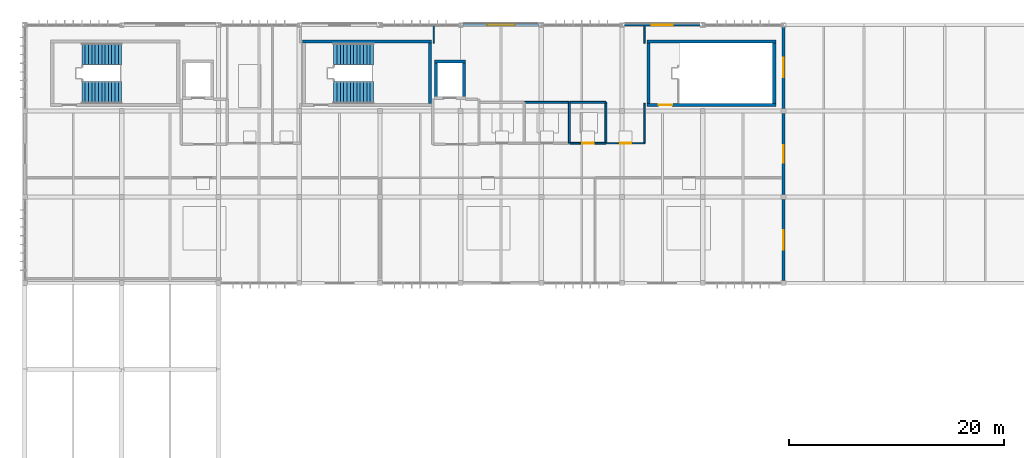
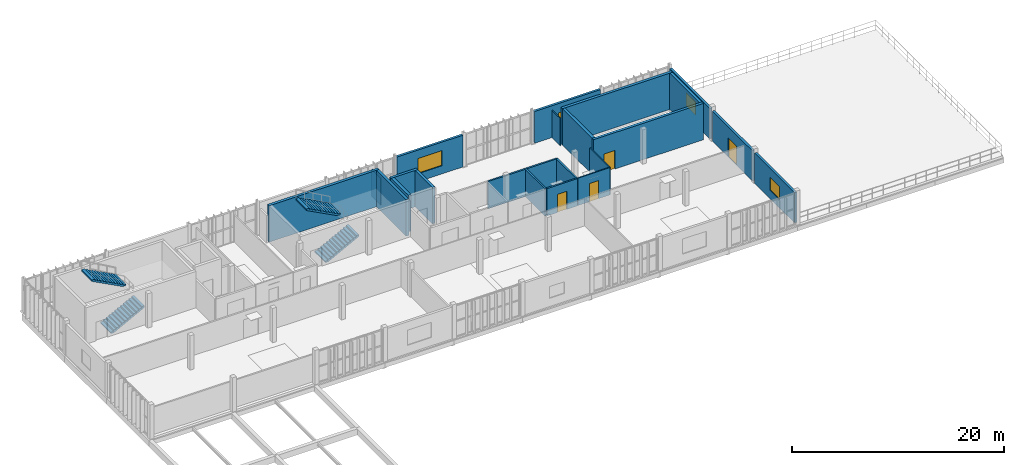
# One storey, part 20 of 26: 23 walls, 4 doors, 4 stair flights, 4 windows, 8 openings, 2 elements without a shape of their own.
"""IFC4 building model written with IfcOpenShell, lengths in metres."""

from ifc_helpers import new_model, si_unit, direction, frame, frame_2d, origin, place, context, subcontext, project, spatial, polyline, rectangle, outline, extrude, material, layer, layer_set, type_object, element, fill, aggregate, save


model = new_model("IFC4")

# Units and contexts
model_context = context("Model", 3, precision=1e-05, world=origin(), true_north=direction((0.0, 1.0)))
body_context = subcontext(model_context, "Body", "Model", "MODEL_VIEW")
ifc_project = project(units=[si_unit("LENGTHUNIT", "METRE"), si_unit("AREAUNIT", "SQUARE_METRE"), si_unit("VOLUMEUNIT", "CUBIC_METRE"), si_unit("PLANEANGLEUNIT", "RADIAN"), si_unit("MASSUNIT", "GRAM", prefix="KILO")], contexts=[model_context])

# Site, building, storey
site_placement = place(None, origin())
site = spatial("IfcSite", under=ifc_project, at=site_placement, CompositionType="ELEMENT")
building_placement = place(site_placement, origin())
building = spatial("IfcBuilding", under=site, at=building_placement, Name="Vourika Railside Aquatics Centre", CompositionType="ELEMENT")
storey_placement = place(building_placement, frame((0.0, 0.0, 17.699951171875)))
storey = spatial("IfcBuildingStorey", under=building, at=storey_placement, Name="L04", CompositionType="ELEMENT", Elevation=17.699951171875)

# Walls
ifc_material_1 = material(Name="Concrete C40/50", Category="concrete")
ifc_layer_1 = layer(ifc_material_1, 0.300048828125, Name="WL-CORE")
ifc_layer_set_1 = layer_set([ifc_layer_1], Name="Concrete C40/50")
wall_type_1 = type_object("IfcWallType", Name="WL-CORE", PredefinedType="SHEAR", material=ifc_layer_set_1)
wall_1_placement = place(storey_placement, frame((55.800048828125, 114.449951171875, 0.0), z_axis=(0.0, 0.0, 1.0), x_axis=(-1.0, 0.0, 0.0)))
element("IfcWall", 1, at=wall_1_placement, inside=storey, type_object=wall_type_1, Name="Protected Exit Stair Core ST02 North Wall (L04)", PredefinedType="SHEAR", context=body_context, shape_type="SweptSolid", body=[
    extrude(rectangle(XDim=12.0, YDim=0.300048828125, at=frame_2d((6.0, 0.0))), origin(), (0.0, 0.0, 1.0), 4.199951171875),
])
wall_2_placement = place(storey_placement, frame((55.64990234375, 108.699951171875, 0.0), z_axis=(0.0, 0.0, 1.0), x_axis=(0.0, 1.0, 0.0)))
element("IfcWall", 2, at=wall_2_placement, inside=storey, type_object=wall_type_1, Name="Protected Exit Stair Core ST02 East Wall (L04)", PredefinedType="SHEAR", context=body_context, shape_type="SweptSolid", body=[
    extrude(rectangle(XDim=5.60009765625, YDim=0.300048828125, at=frame_2d((2.800048828125, 0.0))), origin(), (0.0, 0.0, 1.0), 4.199951171875),
])

# Wall, opening, door
wall_3_placement = place(storey_placement, frame((75.800048828125, 108.550048828125, 0.0), z_axis=(0.0, 0.0, 1.0), x_axis=(1.0, 0.0, 0.0)))
wall_3 = element("IfcWall", 3, at=wall_3_placement, inside=storey, type_object=wall_type_1, Name="Protected Exit Stair Core ST03 South Wall (L04)", PredefinedType="SHEAR", context=body_context, shape_type="SweptSolid", body=[
    extrude(rectangle(XDim=12.0, YDim=0.300048828125, at=frame_2d((6.0, 0.0))), origin(), (0.0, 0.0, 1.0), 4.199951171875),
])
opening_1_placement = place(wall_3_placement, frame((1.10009765625, 0.0, 0.0)))
opening_1 = element("IfcOpeningElement", 4, at=opening_1_placement, cuts=wall_3, Name="Opening DF02", PredefinedType="OPENING", context=body_context, shape_type="SweptSolid", body=[
    extrude(rectangle(XDim=1.25, YDim=2.14990234375, at=frame_2d((0.625, 1.074951171875))), frame((0.0, 0.16015625, 0.0), z_axis=(0.0, -1.0, 0.0), x_axis=(1.0, 0.0, 0.0)), (0.0, 0.0, 1.0), 0.320068359375),
])
ifc_material_2 = material(Name="Fire-rated wide exit stair door")
door_type_1 = type_object("IfcDoorType", Name="DR-FD60-125", OperationType="NOTDEFINED", PredefinedType="DOOR", material=ifc_material_2)
door_1_placement = place(opening_1_placement, origin())
door_1 = element("IfcDoor", 5, at=door_1_placement, inside=storey, type_object=door_type_1, Name="Protected Exit Stair Core ST03 Enclosure Fire Door (L04)", OperationType="SINGLE_SWING_RIGHT", OverallHeight=2.14990234375, OverallWidth=1.25, PredefinedType="DOOR", context=body_context, shape_type="SweptSolid", body=[
    extrude(rectangle(XDim=1.25, YDim=2.14990234375, at=frame_2d((0.625, 1.074951171875))), frame((0.0, 0.02490234375, 0.0), z_axis=(0.0, -1.0, 0.0), x_axis=(1.0, 0.0, 0.0)), (0.0, 0.0, 1.0), 0.050048828125),
])
fill(opening_1, door_1)

# Walls
wall_4_placement = place(storey_placement, frame((87.800048828125, 114.449951171875, 0.0), z_axis=(0.0, 0.0, 1.0), x_axis=(-1.0, 0.0, 0.0)))
element("IfcWall", 6, at=wall_4_placement, inside=storey, type_object=wall_type_1, Name="Protected Exit Stair Core ST03 North Wall (L04)", PredefinedType="SHEAR", context=body_context, shape_type="SweptSolid", body=[
    extrude(rectangle(XDim=12.0, YDim=0.300048828125, at=frame_2d((6.0, 0.0))), origin(), (0.0, 0.0, 1.0), 4.199951171875),
])
for number, where, z_axis, x_axis, name in (
    (7, (75.949951171875, 114.300048828125, 0.0), (0.0, 0.0, 1.0), (0.0, -1.0, 0.0), "Protected Exit Stair Core ST03 West Wall (L04)"),
    (8, (87.64990234375, 108.699951171875, 0.0), (0.0, 0.0, 1.0), (0.0, 1.0, 0.0), "Protected Exit Stair Core ST03 East Wall (L04)"),
):
    element("IfcWall", number, at=place(storey_placement, frame(where, z_axis=z_axis, x_axis=x_axis)), inside=storey, type_object=wall_type_1, Name=name, PredefinedType="SHEAR", context=body_context, shape_type="SweptSolid", body=[
        extrude(rectangle(XDim=5.60009765625, YDim=0.300048828125, at=frame_2d((2.800048828125, 0.0))), origin(), (0.0, 0.0, 1.0), 4.199951171875),
    ])
wall_5_placement = place(storey_placement, frame((58.949951171875, 112.60009765625, 0.0), z_axis=(0.0, 0.0, 1.0), x_axis=(-1.0, 0.0, 0.0)))
element("IfcWall", 9, at=wall_5_placement, inside=storey, type_object=wall_type_1, Name="Lift LF02 Shaft North Wall (L04)", PredefinedType="SHEAR", context=body_context, shape_type="SweptSolid", body=[
    extrude(rectangle(XDim=2.89990234375, YDim=0.300048828125, at=frame_2d((1.449951171875, 0.0))), origin(), (0.0, 0.0, 1.0), 4.199951171875),
])
for number, where, z_axis, x_axis, name in (
    (10, (56.199951171875, 112.60009765625, 0.0), (0.0, 0.0, 1.0), (0.0, -1.0, 0.0), "Lift LF02 Shaft West Wall (L04)"),
    (11, (58.800048828125, 109.199951171875, 0.0), (0.0, 0.0, 1.0), (0.0, 1.0, 0.0), "Lift LF02 Shaft East Wall (L04)"),
):
    element("IfcWall", number, at=place(storey_placement, frame(where, z_axis=z_axis, x_axis=x_axis)), inside=storey, type_object=wall_type_1, Name=name, PredefinedType="SHEAR", context=body_context, shape_type="SweptSolid", body=[
        extrude(rectangle(XDim=3.400146484375, YDim=0.300048828125, at=frame_2d((1.7001953125, 0.0))), origin(), (0.0, 0.0, 1.0), 4.199951171875),
    ])

# Wall, opening, window
ifc_material_3 = material(Name="Precast concrete C40/50", Category="concrete")
ifc_layer_2 = layer(ifc_material_3, 0.25, Name="WL-EXT-250")
ifc_layer_set_2 = layer_set([ifc_layer_2], Name="Precast concrete C40/50")
wall_type_2 = type_object("IfcWallType", Name="WL-EXT-250", PredefinedType="SOLIDWALL", material=ifc_layer_set_2)
wall_6_placement = place(storey_placement, frame((65.85009765625, 116.0, 0.0), z_axis=(0.0, 0.0, 1.0), x_axis=(-1.0, 0.0, 0.0)))
wall_6 = element("IfcWall", 12, at=wall_6_placement, inside=storey, type_object=wall_type_2, Name="North Boulevard Precast Bay L04-6", PredefinedType="SOLIDWALL", context=body_context, shape_type="SweptSolid", body=[
    extrude(rectangle(XDim=7.2001953125, YDim=0.25, at=frame_2d((3.60009765625, 0.0))), origin(), (0.0, 0.0, 1.0), 3.670166015625),
])
opening_2_placement = place(wall_6_placement, frame((2.300048828125, 0.0, 0.949951171875)))
opening_2 = element("IfcOpeningElement", 13, at=opening_2_placement, cuts=wall_6, Name="Opening W14", PredefinedType="OPENING", context=body_context, shape_type="SweptSolid", body=[
    extrude(rectangle(XDim=2.60009765625, YDim=1.75, at=frame_2d((1.300048828125, 0.875))), frame((0.0, 0.135009765625, 0.0), z_axis=(0.0, -1.0, 0.0), x_axis=(1.0, 0.0, 0.0)), (0.0, 0.0, 1.0), 0.27001953125),
])
ifc_material_4 = material(Name="Laminated solar-control glass", Category="glass")
window_type_1 = type_object("IfcWindowType", Name="WN-ACD-260x175", PartitioningType="DOUBLE_PANEL_VERTICAL", PredefinedType="WINDOW", material=ifc_material_4)
window_1_placement = place(opening_2_placement, origin())
window_1 = element("IfcWindow", 14, at=window_1_placement, inside=storey, type_object=window_type_1, Name="North Boulevard Studio Window L04-6", OverallHeight=1.75, OverallWidth=2.60009765625, PartitioningType="SINGLE_PANEL", PredefinedType="WINDOW", context=body_context, shape_type="SweptSolid", body=[
    extrude(rectangle(XDim=2.60009765625, YDim=1.75, at=frame_2d((1.300048828125, 0.875))), frame((0.0, 0.030029296875, 0.0), z_axis=(0.0, -1.0, 0.0), x_axis=(1.0, 0.0, 0.0)), (0.0, 0.0, 1.0), 0.06005859375),
])
fill(opening_2, window_1)

wall_7_placement = place(storey_placement, frame((80.85009765625, 116.0, 0.0), z_axis=(0.0, 0.0, 1.0), x_axis=(-1.0, 0.0, 0.0)))
wall_7 = element("IfcWall", 15, at=wall_7_placement, inside=storey, type_object=wall_type_2, Name="North Boulevard Precast Bay L04-8", PredefinedType="SOLIDWALL", context=body_context, shape_type="SweptSolid", body=[
    extrude(rectangle(XDim=7.2001953125, YDim=0.25, at=frame_2d((3.60009765625, 0.0))), origin(), (0.0, 0.0, 1.0), 3.670166015625),
])
opening_3_placement = place(wall_7_placement, frame((2.625, 0.0, 0.949951171875)))
opening_3 = element("IfcOpeningElement", 16, at=opening_3_placement, cuts=wall_7, Name="Opening W05", PredefinedType="OPENING", context=body_context, shape_type="SweptSolid", body=[
    extrude(rectangle(XDim=1.949951171875, YDim=1.64990234375, at=frame_2d((0.97509765625, 0.824951171875))), frame((0.0, 0.135009765625, 0.0), z_axis=(0.0, -1.0, 0.0), x_axis=(1.0, 0.0, 0.0)), (0.0, 0.0, 1.0), 0.27001953125),
])
window_type_2 = type_object("IfcWindowType", Name="WN-FIT-195x165", PartitioningType="DOUBLE_PANEL_VERTICAL", PredefinedType="WINDOW", material=ifc_material_4)
window_2_placement = place(opening_3_placement, origin())
window_2 = element("IfcWindow", 17, at=window_2_placement, inside=storey, type_object=window_type_2, Name="North Boulevard Studio Window L04-8", OverallHeight=1.64990234375, OverallWidth=1.949951171875, PartitioningType="SINGLE_PANEL", PredefinedType="WINDOW", context=body_context, shape_type="SweptSolid", body=[
    extrude(rectangle(XDim=1.949951171875, YDim=1.64990234375, at=frame_2d((0.97509765625, 0.824951171875))), frame((0.0, 0.030029296875, 0.0), z_axis=(0.0, -1.0, 0.0), x_axis=(1.0, 0.0, 0.0)), (0.0, 0.0, 1.0), 0.06005859375),
])
fill(opening_3, window_2)

wall_8_placement = place(storey_placement, frame((88.5, 92.22509765625, 0.0), z_axis=(0.0, 0.0, 1.0), x_axis=(0.0, 1.0, 0.0)))
wall_8 = element("IfcWall", 18, at=wall_8_placement, inside=storey, type_object=wall_type_2, Name="Fitness Step-Back East Wall L04-1", PredefinedType="SOLIDWALL", context=body_context, shape_type="SweptSolid", body=[
    extrude(rectangle(XDim=7.5498046875, YDim=0.25, at=frame_2d((3.77490234375, 0.0))), origin(), (0.0, 0.0, 1.0), 3.489990234375),
])
opening_4_placement = place(wall_8_placement, frame((2.875, 0.0, 0.949951171875)))
opening_4 = element("IfcOpeningElement", 19, at=opening_4_placement, cuts=wall_8, Name="Opening W08", PredefinedType="OPENING", context=body_context, shape_type="SweptSolid", body=[
    extrude(rectangle(XDim=1.800048828125, YDim=1.5, at=frame_2d((0.89990234375, 0.75))), frame((0.0, 0.135009765625, 0.0), z_axis=(0.0, -1.0, 0.0), x_axis=(1.0, 0.0, 0.0)), (0.0, 0.0, 1.0), 0.27001953125),
])
window_type_3 = type_object("IfcWindowType", Name="WN-CLN-180x150", PartitioningType="SINGLE_PANEL", PredefinedType="WINDOW", material=ifc_material_4)
window_3_placement = place(opening_4_placement, origin())
window_3 = element("IfcWindow", 20, at=window_3_placement, inside=storey, type_object=window_type_3, Name="Fitness East Window L04-1", OverallHeight=1.5, OverallWidth=1.800048828125, PartitioningType="SINGLE_PANEL", PredefinedType="WINDOW", context=body_context, shape_type="SweptSolid", body=[
    extrude(rectangle(XDim=1.800048828125, YDim=1.5, at=frame_2d((0.89990234375, 0.75))), frame((0.0, 0.030029296875, 0.0), z_axis=(0.0, -1.0, 0.0), x_axis=(1.0, 0.0, 0.0)), (0.0, 0.0, 1.0), 0.06005859375),
])
fill(opening_4, window_3)

# Wall, opening, door
wall_9_placement = place(storey_placement, frame((88.5, 100.22509765625, 0.0), z_axis=(0.0, 0.0, 1.0), x_axis=(0.0, 1.0, 0.0)))
wall_9 = element("IfcWall", 21, at=wall_9_placement, inside=storey, type_object=wall_type_2, Name="Fitness Step-Back East Wall L04-2", PredefinedType="SOLIDWALL", context=body_context, shape_type="SweptSolid", body=[
    extrude(rectangle(XDim=7.5498046875, YDim=0.25, at=frame_2d((3.77490234375, 0.0))), origin(), (0.0, 0.0, 1.0), 3.489990234375),
])
opening_5_placement = place(wall_9_placement, frame((2.97509765625, 0.0, 0.0)))
opening_5 = element("IfcOpeningElement", 22, at=opening_5_placement, cuts=wall_9, Name="Opening DE06", PredefinedType="OPENING", context=body_context, shape_type="SweptSolid", body=[
    extrude(rectangle(XDim=1.60009765625, YDim=2.199951171875, at=frame_2d((0.800048828125, 1.10009765625))), frame((0.0, 0.135009765625, 0.0), z_axis=(0.0, -1.0, 0.0), x_axis=(1.0, 0.0, 0.0)), (0.0, 0.0, 1.0), 0.27001953125),
])
ifc_material_5 = material(Name="Anodized aluminium", Category="aluminium")
door_type_2 = type_object("IfcDoorType", Name="DR-EXT-TER160", OperationType="DOUBLE_DOOR_SINGLE_SWING", PredefinedType="DOOR", material=ifc_material_5)
door_2_placement = place(opening_5_placement, frame((1.60009765625, 0.0, 0.0), z_axis=(0.0, 0.0, 1.0), x_axis=(-1.0, 0.0, 0.0)))
door_2 = element("IfcDoor", 23, at=door_2_placement, inside=storey, type_object=door_type_2, Name="L04 Sun Terrace Access Door 2", OperationType="DOUBLE_DOOR_SINGLE_SWING", OverallHeight=2.199951171875, OverallWidth=1.60009765625, PredefinedType="DOOR", context=body_context, shape_type="SweptSolid", body=[
    extrude(rectangle(XDim=1.60009765625, YDim=2.199951171875, at=frame_2d((0.800048828125, 1.10009765625))), frame((0.0, 0.02490234375, 0.0), z_axis=(0.0, -1.0, 0.0), x_axis=(1.0, 0.0, 0.0)), (0.0, 0.0, 1.0), 0.050048828125),
])
fill(opening_5, door_2)

# Wall, opening, window
wall_10_placement = place(storey_placement, frame((88.5, 108.22509765625, 0.0), z_axis=(0.0, 0.0, 1.0), x_axis=(0.0, 1.0, 0.0)))
wall_10 = element("IfcWall", 24, at=wall_10_placement, inside=storey, type_object=wall_type_2, Name="Fitness Step-Back East Wall L04-3", PredefinedType="SOLIDWALL", context=body_context, shape_type="SweptSolid", body=[
    extrude(rectangle(XDim=7.625, YDim=0.25, at=frame_2d((3.8125, 0.0))), origin(), (0.0, 0.0, 1.0), 3.489990234375),
])
opening_6_placement = place(wall_10_placement, frame((2.9130859375, 0.0, 0.949951171875)))
opening_6 = element("IfcOpeningElement", 25, at=opening_6_placement, cuts=wall_10, Name="Opening W08", PredefinedType="OPENING", context=body_context, shape_type="SweptSolid", body=[
    extrude(rectangle(XDim=1.800048828125, YDim=1.5, at=frame_2d((0.89990234375, 0.75))), frame((0.0, 0.135009765625, 0.0), z_axis=(0.0, -1.0, 0.0), x_axis=(1.0, 0.0, 0.0)), (0.0, 0.0, 1.0), 0.27001953125),
])
window_4_placement = place(opening_6_placement, origin())
window_4 = element("IfcWindow", 26, at=window_4_placement, inside=storey, type_object=window_type_3, Name="Fitness East Window L04-3", OverallHeight=1.5, OverallWidth=1.800048828125, PartitioningType="SINGLE_PANEL", PredefinedType="WINDOW", context=body_context, shape_type="SweptSolid", body=[
    extrude(rectangle(XDim=1.800048828125, YDim=1.5, at=frame_2d((0.89990234375, 0.75))), frame((0.0, 0.030029296875, 0.0), z_axis=(0.0, -1.0, 0.0), x_axis=(1.0, 0.0, 0.0)), (0.0, 0.0, 1.0), 0.06005859375),
])
fill(opening_6, window_4)

# Wall, opening, door
ifc_material_6 = material(Name="Lightweight drylining partition")
ifc_layer_3 = layer(ifc_material_6, 0.1201171875, Name="WL-PART-120")
ifc_layer_set_3 = layer_set([ifc_layer_3], Name="Lightweight drylining partition")
wall_type_3 = type_object("IfcWallType", Name="WL-PART-120", PredefinedType="PARTITIONING", material=ifc_layer_set_3)
wall_11_placement = place(storey_placement, frame((75.60009765625, 105.0, 0.0), z_axis=(0.0, 0.0, 1.0), x_axis=(-1.0, 0.0, 0.0)))
wall_11 = element("IfcWall", 27, at=wall_11_placement, inside=storey, type_object=wall_type_3, Name="Officiating and Lifeguard Training Classroom Partition 1", PredefinedType="PARTITIONING", context=body_context, shape_type="SweptSolid", body=[
    extrude(rectangle(XDim=3.530029296875, YDim=0.1201171875, at=frame_2d((1.76513671875, 0.0))), origin(), (0.0, 0.0, 1.0), 3.150146484375),
])
opening_7_placement = place(wall_11_placement, frame((1.264892578125, 0.0, 0.0)))
opening_7 = element("IfcOpeningElement", 28, at=opening_7_placement, cuts=wall_11, Name="Opening DI01", PredefinedType="OPENING", context=body_context, shape_type="SweptSolid", body=[
    extrude(rectangle(XDim=1.0, YDim=2.10009765625, at=frame_2d((0.5, 1.050048828125))), frame((0.0, 0.070068359375, 0.0), z_axis=(0.0, -1.0, 0.0), x_axis=(1.0, 0.0, 0.0)), (0.0, 0.0, 1.0), 0.14013671875),
])
ifc_material_7 = material(Name="Anodized aluminium and laminate door", Category="aluminium")
door_type_3 = type_object("IfcDoorType", Name="DR-INT-1000", OperationType="NOTDEFINED", PredefinedType="DOOR", material=ifc_material_7)
door_3_placement = place(opening_7_placement, origin())
door_3 = element("IfcDoor", 29, at=door_3_placement, inside=storey, type_object=door_type_3, Name="Officiating and Lifeguard Training Classroom Door", OperationType="SINGLE_SWING_LEFT", OverallHeight=2.10009765625, OverallWidth=1.0, PredefinedType="DOOR", context=body_context, shape_type="SweptSolid", body=[
    extrude(rectangle(XDim=1.0, YDim=2.10009765625, at=frame_2d((0.5, 1.050048828125))), frame((0.0, 0.02490234375, 0.0), z_axis=(0.0, -1.0, 0.0), x_axis=(1.0, 0.0, 0.0)), (0.0, 0.0, 1.0), 0.050048828125),
])
fill(opening_7, door_3)

# Walls
wall_12_placement = place(storey_placement, frame((75.60009765625, 108.699951171875, 0.0), z_axis=(0.0, 0.0, 1.0), x_axis=(0.0, -1.0, 0.0)))
element("IfcWall", 30, at=wall_12_placement, inside=storey, type_object=wall_type_3, Name="Officiating and Lifeguard Training Classroom Partition 2", PredefinedType="PARTITIONING", context=body_context, shape_type="SweptSolid", body=[
    extrude(rectangle(XDim=3.699951171875, YDim=0.1201171875, at=frame_2d((1.85009765625, 0.0))), origin(), (0.0, 0.0, 1.0), 3.150146484375),
])
wall_13_placement = place(storey_placement, frame((75.60009765625, 115.89501953125, 0.0), z_axis=(0.0, 0.0, 1.0), x_axis=(0.0, -1.0, 0.0)))
element("IfcWall", 31, at=wall_13_placement, inside=storey, type_object=wall_type_3, Name="Officiating and Lifeguard Training Classroom Partition 5", PredefinedType="PARTITIONING", context=body_context, shape_type="SweptSolid", body=[
    extrude(rectangle(XDim=1.594970703125, YDim=0.1201171875, at=frame_2d((0.79736328125, 0.0))), origin(), (0.0, 0.0, 1.0), 3.150146484375),
])
wall_14_placement = place(storey_placement, frame((56.0, 114.300048828125, 0.0), z_axis=(0.0, 0.0, 1.0), x_axis=(0.0, 1.0, 0.0)))
element("IfcWall", 32, at=wall_14_placement, inside=storey, type_object=wall_type_3, Name="Officiating and Lifeguard Training Classroom Partition 6", PredefinedType="PARTITIONING", context=body_context, shape_type="SweptSolid", body=[
    extrude(rectangle(XDim=1.65234375, YDim=0.1201171875, at=frame_2d((0.826171875, 0.0))), origin(), (0.0, 0.0, 1.0), 3.150146484375),
])
ifc_material_8 = material(Name="Moisture-resistant wet-village blockwork", Category="masonry")
ifc_layer_4 = layer(ifc_material_8, 0.179931640625, Name="WL-PART-180")
ifc_layer_set_4 = layer_set([ifc_layer_4], Name="Moisture-resistant wet-village blockwork")
wall_type_4 = type_object("IfcWallType", Name="WL-PART-180", PredefinedType="PARTITIONING", material=ifc_layer_set_4)
wall_15_placement = place(storey_placement, frame((68.60009765625, 108.800048828125, 0.0), z_axis=(0.0, 0.0, 1.0), x_axis=(0.0, -1.0, 0.0)))
element("IfcWall", 33, at=wall_15_placement, inside=storey, type_object=wall_type_4, Name="Academy Female WC Partition 3", PredefinedType="PARTITIONING", context=body_context, shape_type="SweptSolid", body=[
    extrude(rectangle(XDim=3.800048828125, YDim=0.179931640625, at=frame_2d((1.89990234375, 0.0))), origin(), (0.0, 0.0, 1.0), 3.150146484375),
])
wall_16_placement = place(storey_placement, frame((64.469970703125, 108.800048828125, 0.0), z_axis=(0.0, 0.0, 1.0), x_axis=(1.0, 0.0, 0.0)))
element("IfcWall", 34, at=wall_16_placement, inside=storey, type_object=wall_type_4, Name="Academy Female WC Partition 4", PredefinedType="PARTITIONING", context=body_context, shape_type="SweptSolid", body=[
    extrude(rectangle(XDim=4.130126953125, YDim=0.179931640625, at=frame_2d((2.06494140625, 0.0))), origin(), (0.0, 0.0, 1.0), 3.150146484375),
])

# Wall, opening, door
wall_17_placement = place(storey_placement, frame((72.0, 105.0, 0.0), z_axis=(0.0, 0.0, 1.0), x_axis=(-1.0, 0.0, 0.0)))
wall_17 = element("IfcWall", 35, at=wall_17_placement, inside=storey, type_object=wall_type_4, Name="Academy Accessible WC Partition 1", PredefinedType="PARTITIONING", context=body_context, shape_type="SweptSolid", body=[
    extrude(rectangle(XDim=3.330078125, YDim=0.179931640625, at=frame_2d((1.6650390625, 0.0))), origin(), (0.0, 0.0, 1.0), 3.150146484375),
])
opening_8_placement = place(wall_17_placement, frame((1.139892578125, 0.0, 0.0)))
opening_8 = element("IfcOpeningElement", 36, at=opening_8_placement, cuts=wall_17, Name="Opening DW02", PredefinedType="OPENING", context=body_context, shape_type="SweptSolid", body=[
    extrude(rectangle(XDim=1.050048828125, YDim=2.10009765625, at=frame_2d((0.52490234375, 1.050048828125))), frame((0.0, 0.10009765625, 0.0), z_axis=(0.0, -1.0, 0.0), x_axis=(1.0, 0.0, 0.0)), (0.0, 0.0, 1.0), 0.199951171875),
])
ifc_material_9 = material(Name="Accessible WC outward-assist door")
door_type_4 = type_object("IfcDoorType", Name="DR-WCA-1050", OperationType="NOTDEFINED", PredefinedType="DOOR", material=ifc_material_9)
door_4_placement = place(opening_8_placement, origin())
door_4 = element("IfcDoor", 37, at=door_4_placement, inside=storey, type_object=door_type_4, Name="Academy Accessible WC Door", OperationType="SINGLE_SWING_LEFT", OverallHeight=2.10009765625, OverallWidth=1.050048828125, PredefinedType="DOOR", context=body_context, shape_type="SweptSolid", body=[
    extrude(rectangle(XDim=1.050048828125, YDim=2.10009765625, at=frame_2d((0.52490234375, 1.050048828125))), frame((0.0, 0.02490234375, 0.0), z_axis=(0.0, -1.0, 0.0), x_axis=(1.0, 0.0, 0.0)), (0.0, 0.0, 1.0), 0.050048828125),
])
fill(opening_8, door_4)

# Walls
wall_18_placement = place(storey_placement, frame((72.0, 108.800048828125, 0.0), z_axis=(0.0, 0.0, 1.0), x_axis=(0.0, -1.0, 0.0)))
element("IfcWall", 38, at=wall_18_placement, inside=storey, type_object=wall_type_4, Name="Academy Accessible WC Partition 3", PredefinedType="PARTITIONING", context=body_context, shape_type="SweptSolid", body=[
    extrude(rectangle(XDim=3.800048828125, YDim=0.179931640625, at=frame_2d((1.89990234375, 0.0))), origin(), (0.0, 0.0, 1.0), 3.150146484375),
])
wall_19_placement = place(storey_placement, frame((68.669921875, 108.800048828125, 0.0), z_axis=(0.0, 0.0, 1.0), x_axis=(1.0, 0.0, 0.0)))
element("IfcWall", 39, at=wall_19_placement, inside=storey, type_object=wall_type_4, Name="Academy Accessible WC Partition 4", PredefinedType="PARTITIONING", context=body_context, shape_type="SweptSolid", body=[
    extrude(rectangle(XDim=3.330078125, YDim=0.179931640625, at=frame_2d((1.6650390625, 0.0))), origin(), (0.0, 0.0, 1.0), 3.150146484375),
])

# Stair, stair flights
ifc_material_10 = material(Name="Concrete C35/45", Category="concrete")
stair_type = type_object("IfcStairType", Name="STR-CORE-L04", PredefinedType="TWO_STRAIGHT_RUN_STAIR", material=ifc_material_10)
stair_1_placement = place(storey_placement, origin())
stair_1 = element("IfcStair", 40, at=stair_1_placement, inside=storey, type_object=stair_type, Name="Protected Exit Stair Core ST01 (L04)", PredefinedType="TWO_STRAIGHT_RUN_STAIR")
stair_flight_type = type_object("IfcStairFlightType", Name="STF-CORE-L04", PredefinedType="STRAIGHT", material=ifc_material_10)
stair_flight_1_placement = place(storey_placement, frame((23.300048828125, 109.719970703125, 0.0), z_axis=(0.0, 0.0, 1.0), x_axis=(1.0, 0.0, 0.0)))
stair_flight_1 = element("IfcStairFlight", 41, at=stair_flight_1_placement, type_object=stair_flight_type, Name="STC-L04 flight 1", NumberOfRisers=13, NumberOfTreads=12, PredefinedType="STRAIGHT", RiserHeight=0.161538, TreadLength=0.308, context=body_context, shape_type="SweptSolid", body=[
    extrude(outline(polyline([(0.0, 0.0), (0.0, 0.16162109375), (0.30810546875, 0.16162109375), (0.30810546875, 0.322998046875), (0.615966796875, 0.322998046875), (0.615966796875, 0.484619140625), (0.924072265625, 0.484619140625), (0.924072265625, 0.646240234375), (1.23193359375, 0.646240234375), (1.23193359375, 0.8076171875), (1.5400390625, 0.8076171875), (1.5400390625, 0.96923828125), (1.847900390625, 0.96923828125), (1.847900390625, 1.130859375), (2.156005859375, 1.130859375), (2.156005859375, 1.292236328125), (2.464111328125, 1.292236328125), (2.464111328125, 1.453857421875), (2.77197265625, 1.453857421875), (2.77197265625, 1.615478515625), (3.080078125, 1.615478515625), (3.080078125, 1.77685546875), (3.387939453125, 1.77685546875), (3.387939453125, 1.9384765625), (3.696044921875, 1.9384765625), (3.696044921875, 2.10009765625), (3.696044921875, 1.7578125), (0.34423828125, 0.0), (0.0, 0.0)])), frame((0.0, 1.0, 0.0), z_axis=(0.0, -1.0, 0.0), x_axis=(1.0, 0.0, 0.0)), (0.0, 0.0, 1.0), 2.0),
])
stair_flight_2_placement = place(storey_placement, frame((26.99609375, 113.280029296875, 2.10009765625), z_axis=(0.0, 0.0, 1.0), x_axis=(-1.0, 0.0, 0.0)))
stair_flight_2 = element("IfcStairFlight", 42, at=stair_flight_2_placement, type_object=stair_flight_type, Name="STC-L04 flight 2", NumberOfRisers=13, NumberOfTreads=12, PredefinedType="STRAIGHT", RiserHeight=0.161538, TreadLength=0.308, context=body_context, shape_type="SweptSolid", body=[
    extrude(outline(polyline([(0.0, 0.0), (0.0, 0.16162109375), (0.30810546875, 0.16162109375), (0.30810546875, 0.322998046875), (0.615966796875, 0.322998046875), (0.615966796875, 0.484619140625), (0.924072265625, 0.484619140625), (0.924072265625, 0.646240234375), (1.23193359375, 0.646240234375), (1.23193359375, 0.8076171875), (1.5400390625, 0.8076171875), (1.5400390625, 0.96923828125), (1.847900390625, 0.96923828125), (1.847900390625, 1.130859375), (2.156005859375, 1.130859375), (2.156005859375, 1.292236328125), (2.464111328125, 1.292236328125), (2.464111328125, 1.453857421875), (2.77197265625, 1.453857421875), (2.77197265625, 1.615478515625), (3.080078125, 1.615478515625), (3.080078125, 1.77685546875), (3.387939453125, 1.77685546875), (3.387939453125, 1.9384765625), (3.696044921875, 1.9384765625), (3.696044921875, 2.10009765625), (3.696044921875, 1.7578125), (0.34423828125, 0.0), (0.0, 0.0)])), frame((0.0, 1.0, 0.0), z_axis=(0.0, -1.0, 0.0), x_axis=(1.0, 0.0, 0.0)), (0.0, 0.0, 1.0), 2.0),
])
aggregate(stair_1, [stair_flight_1, stair_flight_2])

stair_2_placement = place(storey_placement, origin())
stair_2 = element("IfcStair", 43, at=stair_2_placement, inside=storey, type_object=stair_type, Name="Protected Exit Stair Core ST02 (L04)", PredefinedType="TWO_STRAIGHT_RUN_STAIR")
stair_flight_3_placement = place(storey_placement, frame((46.699951171875, 109.719970703125, 0.0), z_axis=(0.0, 0.0, 1.0), x_axis=(1.0, 0.0, 0.0)))
stair_flight_3 = element("IfcStairFlight", 44, at=stair_flight_3_placement, type_object=stair_flight_type, Name="STC-L04 flight 1", NumberOfRisers=13, NumberOfTreads=12, PredefinedType="STRAIGHT", RiserHeight=0.161538, TreadLength=0.308, context=body_context, shape_type="SweptSolid", body=[
    extrude(outline(polyline([(0.0, 0.0), (0.0, 0.16162109375), (0.30810546875, 0.16162109375), (0.30810546875, 0.322998046875), (0.615966796875, 0.322998046875), (0.615966796875, 0.484619140625), (0.924072265625, 0.484619140625), (0.924072265625, 0.646240234375), (1.23193359375, 0.646240234375), (1.23193359375, 0.8076171875), (1.5400390625, 0.8076171875), (1.5400390625, 0.96923828125), (1.847900390625, 0.96923828125), (1.847900390625, 1.130859375), (2.156005859375, 1.130859375), (2.156005859375, 1.292236328125), (2.464111328125, 1.292236328125), (2.464111328125, 1.453857421875), (2.77197265625, 1.453857421875), (2.77197265625, 1.615478515625), (3.080078125, 1.615478515625), (3.080078125, 1.77685546875), (3.387939453125, 1.77685546875), (3.387939453125, 1.9384765625), (3.696044921875, 1.9384765625), (3.696044921875, 2.10009765625), (3.696044921875, 1.7578125), (0.34423828125, 0.0), (0.0, 0.0)])), frame((0.0, 1.0, 0.0), z_axis=(0.0, -1.0, 0.0), x_axis=(1.0, 0.0, 0.0)), (0.0, 0.0, 1.0), 2.0),
])
stair_flight_4_placement = place(storey_placement, frame((50.39599609375, 113.280029296875, 2.10009765625), z_axis=(0.0, 0.0, 1.0), x_axis=(-1.0, 0.0, 0.0)))
stair_flight_4 = element("IfcStairFlight", 45, at=stair_flight_4_placement, type_object=stair_flight_type, Name="STC-L04 flight 2", NumberOfRisers=13, NumberOfTreads=12, PredefinedType="STRAIGHT", RiserHeight=0.161538, TreadLength=0.308, context=body_context, shape_type="SweptSolid", body=[
    extrude(outline(polyline([(0.0, 0.0), (0.0, 0.16162109375), (0.30810546875, 0.16162109375), (0.30810546875, 0.322998046875), (0.615966796875, 0.322998046875), (0.615966796875, 0.484619140625), (0.924072265625, 0.484619140625), (0.924072265625, 0.646240234375), (1.23193359375, 0.646240234375), (1.23193359375, 0.8076171875), (1.5400390625, 0.8076171875), (1.5400390625, 0.96923828125), (1.847900390625, 0.96923828125), (1.847900390625, 1.130859375), (2.156005859375, 1.130859375), (2.156005859375, 1.292236328125), (2.464111328125, 1.292236328125), (2.464111328125, 1.453857421875), (2.77197265625, 1.453857421875), (2.77197265625, 1.615478515625), (3.080078125, 1.615478515625), (3.080078125, 1.77685546875), (3.387939453125, 1.77685546875), (3.387939453125, 1.9384765625), (3.696044921875, 1.9384765625), (3.696044921875, 2.10009765625), (3.696044921875, 1.7578125), (0.34423828125, 0.0), (0.0, 0.0)])), frame((0.0, 1.0, 0.0), z_axis=(0.0, -1.0, 0.0), x_axis=(1.0, 0.0, 0.0)), (0.0, 0.0, 1.0), 2.0),
])
aggregate(stair_2, [stair_flight_3, stair_flight_4])

save(model, "model.ifc")
